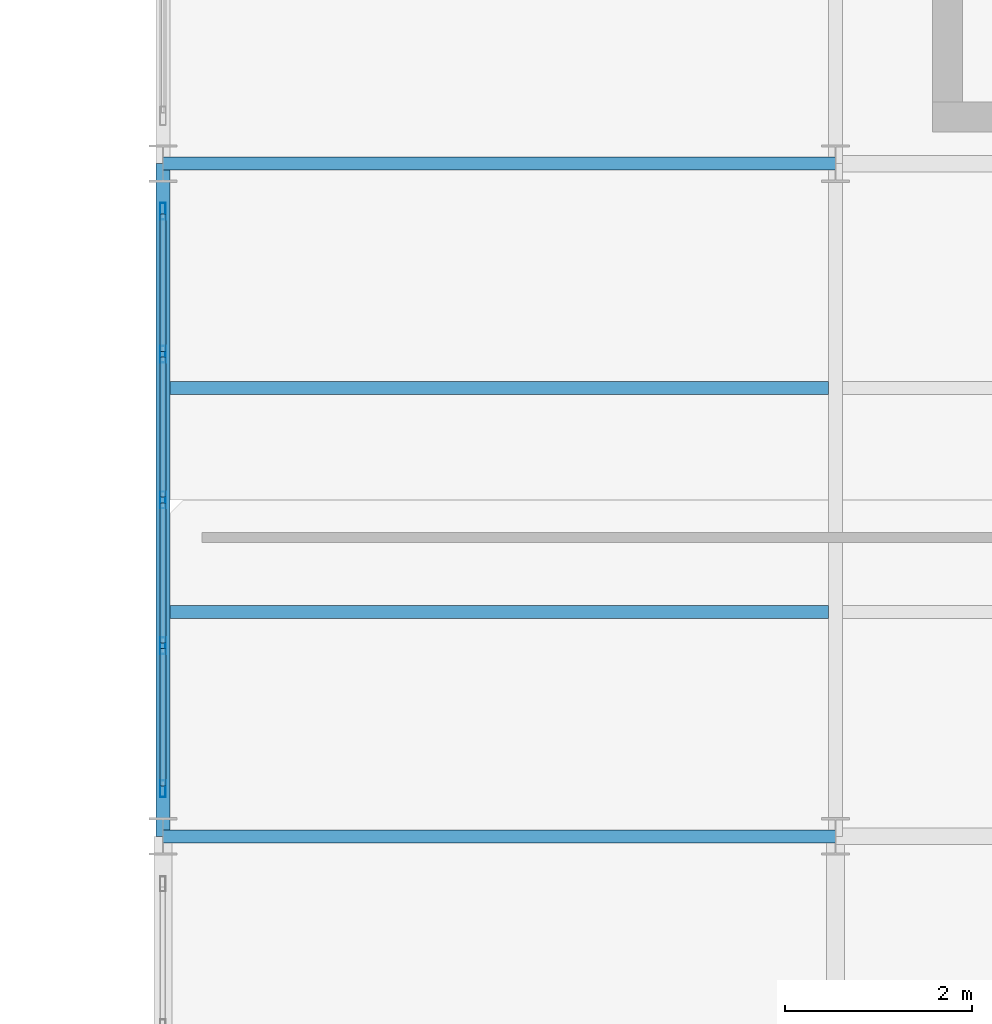
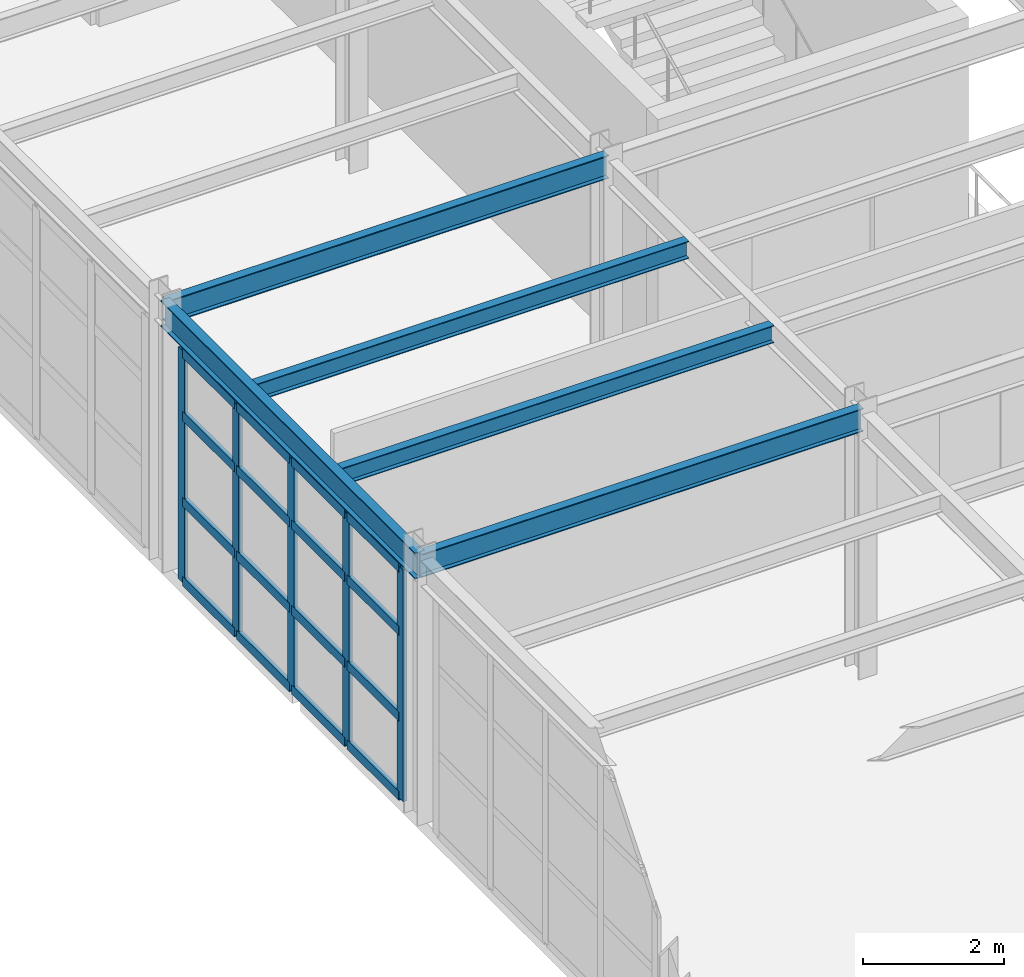
# One storey, part 38 of 126: 21 members, 5 beams, 1 element without a shape of its own.
"""IFC4 building model written with IfcOpenShell, lengths in metres."""

import ifcopenshell
import ifcopenshell.guid

model = None  # the IFC model being written
_history = None  # IfcOwnerHistory: only IFC2X3 demands one
_inside = {}  # id of a spatial element -> (the spatial element, [elements in it])
_under = {}  # id of a project, library or spatial element -> (it, [spatial elements below it])
_declared = {}  # id of a project -> (the project, [libraries it declares])
_typed = {}  # id of a type object -> (the type object, [elements of that type])
_made_of = {}  # id of a material, layer set ... -> (it, [elements and type objects made of it])


def new_model(schema):
    """Start an empty IFC model of exactly this schema.

    Asked for "IFC4X3", IfcOpenShell would pick the latest addendum, in which some entities
    have other attributes; the version numbers below select the first issue.
    IFC2X3 requires an IfcOwnerHistory on every rooted entity: one is made here for all.
    """
    global model, _history
    if schema == "IFC4X3":
        model = ifcopenshell.file(schema_version=(4, 3, 0, 0))
    else:
        model = ifcopenshell.file(schema=schema)
    _inside.clear()
    _under.clear()
    _declared.clear()
    _typed.clear()
    _made_of.clear()
    _history = None
    if model.schema == "IFC2X3":
        org = make("IfcOrganization", Name="unknown")
        user = make(
            "IfcPersonAndOrganization",
            ThePerson=make("IfcPerson", FamilyName="unknown"),
            TheOrganization=org,
        )
        app = make(
            "IfcApplication",
            ApplicationDeveloper=org,
            Version="unknown",
            ApplicationFullName="unknown",
            ApplicationIdentifier="unknown",
        )
        _history = make(
            "IfcOwnerHistory",
            OwningUser=user,
            OwningApplication=app,
            ChangeAction="ADDED",
            CreationDate=0,
        )
    return model


def make(cls, **values):
    """One entity of the class cls with the attributes given. An attribute that is None is left unset."""
    return model.create_entity(
        cls, **{name: value for name, value in values.items() if value is not None}
    )


def rooted(cls, **values):
    """An entity with a GlobalId (a new one), such as an element, a storey or a relation."""
    return make(cls, GlobalId=ifcopenshell.guid.new(), OwnerHistory=_history, **values)


def si_unit(unit_type, name, prefix=None):
    """IfcSIUnit, for example si_unit("LENGTHUNIT", "METRE", prefix="MILLI")."""
    return make("IfcSIUnit", UnitType=unit_type, Prefix=prefix, Name=name)


def assignment(units):
    """IfcUnitAssignment: the units of a project."""
    return None if units is None else make("IfcUnitAssignment", Units=units)


def point(xyz):
    """IfcCartesianPoint."""
    return None if xyz is None else make("IfcCartesianPoint", Coordinates=xyz)


def direction(xyz):
    """IfcDirection."""
    return None if xyz is None else make("IfcDirection", DirectionRatios=xyz)


def frame(location, z_axis=None, x_axis=None):
    """IfcAxis2Placement3D, a coordinate frame: its origin and axes. An axis left out is left unset."""
    return make(
        "IfcAxis2Placement3D",
        Location=point(location),
        Axis=direction(z_axis),
        RefDirection=direction(x_axis),
    )


def frame_2d(location, x_axis=None):
    """IfcAxis2Placement2D, a coordinate frame in the plane: its origin and x axis."""
    return make(
        "IfcAxis2Placement2D", Location=point(location), RefDirection=direction(x_axis)
    )


def origin():
    """The frame at (0, 0, 0) with its axes left unset."""
    return frame((0.0, 0.0, 0.0))


def origin_2d():
    """The frame at (0, 0) in the plane with its x axis left unset."""
    return frame_2d((0.0, 0.0))


def place(relative_to, where):
    """IfcLocalPlacement: puts the frame where relative to a parent placement (None: the world)."""
    return make(
        "IfcLocalPlacement", PlacementRelTo=relative_to, RelativePlacement=where
    )


def context(
    kind, dimensions, precision=None, world=None, true_north=None, identifier=None
):
    """IfcGeometricRepresentationContext, for example the 3D "Model" context."""
    return make(
        "IfcGeometricRepresentationContext",
        ContextIdentifier=identifier,
        ContextType=kind,
        CoordinateSpaceDimension=dimensions,
        Precision=precision,
        WorldCoordinateSystem=world,
        TrueNorth=true_north,
    )


def subcontext(parent, identifier, kind, view, scale=None):
    """IfcGeometricRepresentationSubContext, for example "Body" below "Model"."""
    return make(
        "IfcGeometricRepresentationSubContext",
        ContextIdentifier=identifier,
        ContextType=kind,
        ParentContext=parent,
        TargetScale=scale,
        TargetView=view,
    )


def project(units=None, contexts=None):
    """IfcProject with its units and contexts."""
    return rooted(
        "IfcProject",
        Name="project",
        RepresentationContexts=contexts,
        UnitsInContext=assignment(units),
    )


def spatial(cls, under=None, at=None, **own):
    """A site, building, storey or space (cls), placed at a placement, below another one or the project."""
    s = rooted(cls, ObjectPlacement=at, **own)
    if under is not None:
        _under.setdefault(under.id(), (under, []))[1].append(s)
    return s


def profile(cls, at=None, kind="AREA", **sizes):
    """A parametric profile (cls). Its sizes go by their IFC names, for example OverallWidth=200.0."""
    return make(cls, ProfileType=kind, Position=at, **sizes)


def hollow_rectangle(**sizes):
    """IfcRectangleHollowProfileDef."""
    return profile("IfcRectangleHollowProfileDef", **sizes)


def i_section(**sizes):
    """IfcIShapeProfileDef."""
    return profile("IfcIShapeProfileDef", **sizes)


def extrude(swept, where, along, depth):
    """IfcExtrudedAreaSolid: the profile swept, set in the frame where, extruded along a direction by depth."""
    return make(
        "IfcExtrudedAreaSolid",
        SweptArea=swept,
        Position=where,
        ExtrudedDirection=direction(along),
        Depth=depth,
    )


def shape(context_of_items, identifier, shape_type, items):
    """IfcShapeRepresentation: the items that make up one representation, for example the "Body"."""
    return make(
        "IfcShapeRepresentation",
        ContextOfItems=context_of_items,
        RepresentationIdentifier=identifier,
        RepresentationType=shape_type,
        Items=items,
    )


def material(Name=None, Category=None):
    """IfcMaterial."""
    return make("IfcMaterial", Name=Name, Category=Category)


def layer(
    of_material, thickness, ventilated=None, Name=None, Category=None, Priority=None
):
    """IfcMaterialLayer: one layer of a wall or slab, of a material (None: an air gap)."""
    return make(
        "IfcMaterialLayer",
        Material=of_material,
        LayerThickness=thickness,
        IsVentilated=ventilated,
        Name=Name,
        Category=Category,
        Priority=Priority,
    )


def layer_set(layers, Name=None):
    """IfcMaterialLayerSet."""
    return make("IfcMaterialLayerSet", MaterialLayers=layers, LayerSetName=Name)


def material_profile(
    of_material, cross_section, Name=None, Category=None, Priority=None
):
    """IfcMaterialProfile: a cross section and its material."""
    return make(
        "IfcMaterialProfile",
        Name=Name,
        Material=of_material,
        Profile=cross_section,
        Priority=Priority,
        Category=Category,
    )


def profile_set(profiles, Name=None, composite=None):
    """IfcMaterialProfileSet."""
    return make(
        "IfcMaterialProfileSet",
        Name=Name,
        MaterialProfiles=profiles,
        CompositeProfile=composite,
    )


def made_of(thing, what):
    """Note that an element or type object is made of a material, layer set ...; save() writes the relation."""
    if what is not None:
        _made_of.setdefault(what.id(), (what, []))[1].append(thing)
    return thing


def type_object(cls, material=None, **own):
    """A type object (cls), such as IfcWallType, which elements share."""
    return made_of(rooted(cls, **own), material)


def element(
    cls,
    number,
    at=None,
    inside=None,
    cuts=None,
    type_object=None,
    material=None,
    context=None,
    identifier="Body",
    shape_type=None,
    held_by="IfcProductDefinitionShape",
    body=None,
    shapes=None,
    **own,
):
    """One element of the class cls, such as IfcWall. Its Tag is "e" and its number.

    at: its placement. inside: the storey or other place that contains it. cuts: it is an
    opening in that element (IfcRelVoidsElement). A single representation is given by context,
    identifier, shape_type and body (its items); several are given by shapes. held_by: the class
    of the entity that holds the representations. save() writes the other relations.
    """
    e = rooted(cls, Tag="e%d" % number, ObjectPlacement=at, **own)
    if body is not None:
        shapes = [shape(context, identifier, shape_type, body)]
    if shapes is not None:
        e.Representation = make(held_by, Representations=shapes)
    if inside is not None:
        _inside.setdefault(inside.id(), (inside, []))[1].append(e)
    if cuts is not None:
        rooted(
            "IfcRelVoidsElement", RelatingBuildingElement=cuts, RelatedOpeningElement=e
        )
    if type_object is not None:
        _typed.setdefault(type_object.id(), (type_object, []))[1].append(e)
    return made_of(e, material)


def aggregate(whole, parts):
    """IfcRelAggregates: a whole, such as a stair, and the parts it consists of."""
    return rooted("IfcRelAggregates", RelatingObject=whole, RelatedObjects=parts)


def save(model, path):
    """Write the relations noted so far, then the file.

    IfcRelAggregates (storeys below a building ...), IfcRelContainedInSpatialStructure (elements
    in a storey), IfcRelDefinesByType, IfcRelAssociatesMaterial and IfcRelDeclares: one each for
    every whole, place, type object, material and project.
    """
    for whole, parts in _under.values():
        aggregate(whole, parts)
    for where, things in _inside.values():
        rooted(
            "IfcRelContainedInSpatialStructure",
            RelatedElements=things,
            RelatingStructure=where,
        )
    for kind, things in _typed.values():
        rooted("IfcRelDefinesByType", RelatedObjects=things, RelatingType=kind)
    for what, things in _made_of.values():
        rooted("IfcRelAssociatesMaterial", RelatedObjects=things, RelatingMaterial=what)
    for by, libraries in _declared.values():
        rooted("IfcRelDeclares", RelatingContext=by, RelatedDefinitions=libraries)
    model.write(path)


model = new_model("IFC4")

# Units and contexts
model_context = context("Model", 3, precision=1e-05, world=origin(), true_north=direction((0.0, 1.0)))
body_context = subcontext(model_context, "Body", "Model", "MODEL_VIEW")
ifc_project = project(units=[si_unit("LENGTHUNIT", "METRE"), si_unit("AREAUNIT", "SQUARE_METRE"), si_unit("VOLUMEUNIT", "CUBIC_METRE"), si_unit("PLANEANGLEUNIT", "RADIAN"), si_unit("MASSUNIT", "GRAM", prefix="KILO")], contexts=[model_context])

# Site, building, storey
site_placement = place(None, origin())
site = spatial("IfcSite", under=ifc_project, at=site_placement, CompositionType="ELEMENT")
building_placement = place(site_placement, origin())
building = spatial("IfcBuilding", under=site, at=building_placement, Name="Solvadek Multi-Sports Hall", CompositionType="ELEMENT")
storey_placement = place(building_placement, frame((0.0, 0.0, 9.60009765625)))
storey = spatial("IfcBuildingStorey", under=building, at=storey_placement, Name="L02", CompositionType="ELEMENT", Elevation=9.60009765625)

# Curtain wall, members
ifc_material_1 = material(Name="Anodised aluminium", Category="aluminium")
ifc_layer = layer(ifc_material_1, 0.159912109375, Name="Anodised aluminium")
ifc_layer_set = layer_set([ifc_layer], Name="Anodised aluminium")
curtain_wall_type = type_object("IfcCurtainWallType", Name="ENV-CW-624X400", PredefinedType="USERDEFINED", material=ifc_layer_set)
curtain_wall_placement = place(storey_placement, origin())
curtain_wall = element("IfcCurtainWall", 1, at=curtain_wall_placement, inside=storey, type_object=curtain_wall_type, Name="L02 Perimeter Bay Curtain Wall #196", ObjectType="CURTAIN WALL", PredefinedType="USERDEFINED")
ifc_material_profile_1 = material_profile(ifc_material_1, hollow_rectangle(XDim=0.06005859375, YDim=0.179931640625, WallThickness=0.00390625, at=origin_2d()), Name="ALU-M 180x60x4")
ifc_profile_set_1 = profile_set([ifc_material_profile_1], Name="Anodised aluminium")
member_type_1 = type_object("IfcMemberType", Name="ENV-CWM-02", PredefinedType="MULLION", material=ifc_profile_set_1)
member_1_placement = place(storey_placement, frame((57.60009765625, 35.31005859375, 0.0), z_axis=(0.0, 0.0, 1.0), x_axis=(-1.0, 0.0, 0.0)))
member_1 = element("IfcMember", 2, at=member_1_placement, type_object=member_type_1, Name="CW-56 mullion 1", PredefinedType="MULLION", context=body_context, shape_type="SweptSolid", body=[
    extrude(hollow_rectangle(XDim=0.06005859375, YDim=0.179931640625, WallThickness=0.00390625, at=origin_2d()), origin(), (0.0, 0.0, 1.0), 4.0),
])
member_2_placement = place(storey_placement, frame((57.60009765625, 36.840087890625, 0.0), z_axis=(0.0, 0.0, 1.0), x_axis=(-1.0, 0.0, 0.0)))
member_2 = element("IfcMember", 3, at=member_2_placement, type_object=member_type_1, Name="CW-56 mullion 2", PredefinedType="MULLION", context=body_context, shape_type="SweptSolid", body=[
    extrude(hollow_rectangle(XDim=0.06005859375, YDim=0.179931640625, WallThickness=0.00390625, at=origin_2d()), origin(), (0.0, 0.0, 1.0), 4.0),
])
member_3_placement = place(storey_placement, frame((57.60009765625, 38.39990234375, 0.0), z_axis=(0.0, 0.0, 1.0), x_axis=(-1.0, 0.0, 0.0)))
member_3 = element("IfcMember", 4, at=member_3_placement, type_object=member_type_1, Name="CW-56 mullion 3", PredefinedType="MULLION", context=body_context, shape_type="SweptSolid", body=[
    extrude(hollow_rectangle(XDim=0.06005859375, YDim=0.179931640625, WallThickness=0.00390625, at=origin_2d()), origin(), (0.0, 0.0, 1.0), 4.0),
])
member_4_placement = place(storey_placement, frame((57.60009765625, 39.9599609375, 0.0), z_axis=(0.0, 0.0, 1.0), x_axis=(-1.0, 0.0, 0.0)))
member_4 = element("IfcMember", 5, at=member_4_placement, type_object=member_type_1, Name="CW-56 mullion 4", PredefinedType="MULLION", context=body_context, shape_type="SweptSolid", body=[
    extrude(hollow_rectangle(XDim=0.06005859375, YDim=0.179931640625, WallThickness=0.00390625, at=origin_2d()), origin(), (0.0, 0.0, 1.0), 4.0),
])
member_5_placement = place(storey_placement, frame((57.60009765625, 41.489990234375, 0.0), z_axis=(0.0, 0.0, 1.0), x_axis=(-1.0, 0.0, 0.0)))
member_5 = element("IfcMember", 6, at=member_5_placement, type_object=member_type_1, Name="CW-56 mullion 5", PredefinedType="MULLION", context=body_context, shape_type="SweptSolid", body=[
    extrude(hollow_rectangle(XDim=0.06005859375, YDim=0.179931640625, WallThickness=0.00390625, at=origin_2d()), origin(), (0.0, 0.0, 1.0), 4.0),
])
ifc_material_profile_2 = material_profile(ifc_material_1, hollow_rectangle(XDim=0.06494140625, YDim=0.159912109375, WallThickness=0.00390625, at=origin_2d()), Name="ALU-T 160x65x4")
ifc_profile_set_2 = profile_set([ifc_material_profile_2], Name="Anodised aluminium")
member_type_2 = type_object("IfcMemberType", Name="ENV-CWT-03", PredefinedType="USERDEFINED", material=ifc_profile_set_2)
member_6_placement = place(storey_placement, frame((57.60009765625, 35.340087890625, 0.032470703125), z_axis=(0.0, 1.0, 0.0), x_axis=(-1.0, 0.0, 0.0)))
member_6 = element("IfcMember", 7, at=member_6_placement, type_object=member_type_2, Name="CW-56 transom 1.1", ObjectType="TRANSOM", PredefinedType="USERDEFINED", context=body_context, shape_type="SweptSolid", body=[
    extrude(hollow_rectangle(XDim=0.06494140625, YDim=0.159912109375, WallThickness=0.00390625, at=origin_2d()), origin(), (0.0, 0.0, 1.0), 1.469970703125),
])
member_7_placement = place(storey_placement, frame((57.60009765625, 35.340087890625, 1.39990234375), z_axis=(0.0, 1.0, 0.0), x_axis=(-1.0, 0.0, 0.0)))
member_7 = element("IfcMember", 8, at=member_7_placement, type_object=member_type_2, Name="CW-56 transom 1.2", ObjectType="TRANSOM", PredefinedType="USERDEFINED", context=body_context, shape_type="SweptSolid", body=[
    extrude(hollow_rectangle(XDim=0.06494140625, YDim=0.159912109375, WallThickness=0.00390625, at=origin_2d()), origin(), (0.0, 0.0, 1.0), 1.469970703125),
])
member_8_placement = place(storey_placement, frame((57.60009765625, 35.340087890625, 2.8798828125), z_axis=(0.0, 1.0, 0.0), x_axis=(-1.0, 0.0, 0.0)))
member_8 = element("IfcMember", 9, at=member_8_placement, type_object=member_type_2, Name="CW-56 transom 1.3", ObjectType="TRANSOM", PredefinedType="USERDEFINED", context=body_context, shape_type="SweptSolid", body=[
    extrude(hollow_rectangle(XDim=0.06494140625, YDim=0.159912109375, WallThickness=0.00390625, at=origin_2d()), origin(), (0.0, 0.0, 1.0), 1.469970703125),
])
member_9_placement = place(storey_placement, frame((57.60009765625, 35.340087890625, 3.96728515625), z_axis=(0.0, 1.0, 0.0), x_axis=(-1.0, 0.0, 0.0)))
member_9 = element("IfcMember", 10, at=member_9_placement, type_object=member_type_2, Name="CW-56 transom 1.4", ObjectType="TRANSOM", PredefinedType="USERDEFINED", context=body_context, shape_type="SweptSolid", body=[
    extrude(hollow_rectangle(XDim=0.06494140625, YDim=0.159912109375, WallThickness=0.00390625, at=origin_2d()), origin(), (0.0, 0.0, 1.0), 1.469970703125),
])
member_10_placement = place(storey_placement, frame((57.60009765625, 36.8701171875, 0.032470703125), z_axis=(0.0, 1.0, 0.0), x_axis=(-1.0, 0.0, 0.0)))
member_10 = element("IfcMember", 11, at=member_10_placement, type_object=member_type_2, Name="CW-56 transom 2.1", ObjectType="TRANSOM", PredefinedType="USERDEFINED", context=body_context, shape_type="SweptSolid", body=[
    extrude(hollow_rectangle(XDim=0.06494140625, YDim=0.159912109375, WallThickness=0.00390625, at=origin_2d()), origin(), (0.0, 0.0, 1.0), 1.5),
])
member_11_placement = place(storey_placement, frame((57.60009765625, 36.8701171875, 1.39990234375), z_axis=(0.0, 1.0, 0.0), x_axis=(-1.0, 0.0, 0.0)))
member_11 = element("IfcMember", 12, at=member_11_placement, type_object=member_type_2, Name="CW-56 transom 2.2", ObjectType="TRANSOM", PredefinedType="USERDEFINED", context=body_context, shape_type="SweptSolid", body=[
    extrude(hollow_rectangle(XDim=0.06494140625, YDim=0.159912109375, WallThickness=0.00390625, at=origin_2d()), origin(), (0.0, 0.0, 1.0), 1.5),
])
member_12_placement = place(storey_placement, frame((57.60009765625, 36.8701171875, 2.8798828125), z_axis=(0.0, 1.0, 0.0), x_axis=(-1.0, 0.0, 0.0)))
member_12 = element("IfcMember", 13, at=member_12_placement, type_object=member_type_2, Name="CW-56 transom 2.3", ObjectType="TRANSOM", PredefinedType="USERDEFINED", context=body_context, shape_type="SweptSolid", body=[
    extrude(hollow_rectangle(XDim=0.06494140625, YDim=0.159912109375, WallThickness=0.00390625, at=origin_2d()), origin(), (0.0, 0.0, 1.0), 1.5),
])
member_13_placement = place(storey_placement, frame((57.60009765625, 36.8701171875, 3.96728515625), z_axis=(0.0, 1.0, 0.0), x_axis=(-1.0, 0.0, 0.0)))
member_13 = element("IfcMember", 14, at=member_13_placement, type_object=member_type_2, Name="CW-56 transom 2.4", ObjectType="TRANSOM", PredefinedType="USERDEFINED", context=body_context, shape_type="SweptSolid", body=[
    extrude(hollow_rectangle(XDim=0.06494140625, YDim=0.159912109375, WallThickness=0.00390625, at=origin_2d()), origin(), (0.0, 0.0, 1.0), 1.5),
])
member_14_placement = place(storey_placement, frame((57.60009765625, 38.429931640625, 0.032470703125), z_axis=(0.0, 1.0, 0.0), x_axis=(-1.0, 0.0, 0.0)))
member_14 = element("IfcMember", 15, at=member_14_placement, type_object=member_type_2, Name="CW-56 transom 3.1", ObjectType="TRANSOM", PredefinedType="USERDEFINED", context=body_context, shape_type="SweptSolid", body=[
    extrude(hollow_rectangle(XDim=0.06494140625, YDim=0.159912109375, WallThickness=0.00390625, at=origin_2d()), origin(), (0.0, 0.0, 1.0), 1.5),
])
member_15_placement = place(storey_placement, frame((57.60009765625, 38.429931640625, 1.39990234375), z_axis=(0.0, 1.0, 0.0), x_axis=(-1.0, 0.0, 0.0)))
member_15 = element("IfcMember", 16, at=member_15_placement, type_object=member_type_2, Name="CW-56 transom 3.2", ObjectType="TRANSOM", PredefinedType="USERDEFINED", context=body_context, shape_type="SweptSolid", body=[
    extrude(hollow_rectangle(XDim=0.06494140625, YDim=0.159912109375, WallThickness=0.00390625, at=origin_2d()), origin(), (0.0, 0.0, 1.0), 1.5),
])
member_16_placement = place(storey_placement, frame((57.60009765625, 38.429931640625, 2.8798828125), z_axis=(0.0, 1.0, 0.0), x_axis=(-1.0, 0.0, 0.0)))
member_16 = element("IfcMember", 17, at=member_16_placement, type_object=member_type_2, Name="CW-56 transom 3.3", ObjectType="TRANSOM", PredefinedType="USERDEFINED", context=body_context, shape_type="SweptSolid", body=[
    extrude(hollow_rectangle(XDim=0.06494140625, YDim=0.159912109375, WallThickness=0.00390625, at=origin_2d()), origin(), (0.0, 0.0, 1.0), 1.5),
])
member_17_placement = place(storey_placement, frame((57.60009765625, 38.429931640625, 3.96728515625), z_axis=(0.0, 1.0, 0.0), x_axis=(-1.0, 0.0, 0.0)))
member_17 = element("IfcMember", 18, at=member_17_placement, type_object=member_type_2, Name="CW-56 transom 3.4", ObjectType="TRANSOM", PredefinedType="USERDEFINED", context=body_context, shape_type="SweptSolid", body=[
    extrude(hollow_rectangle(XDim=0.06494140625, YDim=0.159912109375, WallThickness=0.00390625, at=origin_2d()), origin(), (0.0, 0.0, 1.0), 1.5),
])
member_18_placement = place(storey_placement, frame((57.60009765625, 39.989990234375, 0.032470703125), z_axis=(0.0, 1.0, 0.0), x_axis=(-1.0, 0.0, 0.0)))
member_18 = element("IfcMember", 19, at=member_18_placement, type_object=member_type_2, Name="CW-56 transom 4.1", ObjectType="TRANSOM", PredefinedType="USERDEFINED", context=body_context, shape_type="SweptSolid", body=[
    extrude(hollow_rectangle(XDim=0.06494140625, YDim=0.159912109375, WallThickness=0.00390625, at=origin_2d()), origin(), (0.0, 0.0, 1.0), 1.469970703125),
])
member_19_placement = place(storey_placement, frame((57.60009765625, 39.989990234375, 1.39990234375), z_axis=(0.0, 1.0, 0.0), x_axis=(-1.0, 0.0, 0.0)))
member_19 = element("IfcMember", 20, at=member_19_placement, type_object=member_type_2, Name="CW-56 transom 4.2", ObjectType="TRANSOM", PredefinedType="USERDEFINED", context=body_context, shape_type="SweptSolid", body=[
    extrude(hollow_rectangle(XDim=0.06494140625, YDim=0.159912109375, WallThickness=0.00390625, at=origin_2d()), origin(), (0.0, 0.0, 1.0), 1.469970703125),
])
member_20_placement = place(storey_placement, frame((57.60009765625, 39.989990234375, 2.8798828125), z_axis=(0.0, 1.0, 0.0), x_axis=(-1.0, 0.0, 0.0)))
member_20 = element("IfcMember", 21, at=member_20_placement, type_object=member_type_2, Name="CW-56 transom 4.3", ObjectType="TRANSOM", PredefinedType="USERDEFINED", context=body_context, shape_type="SweptSolid", body=[
    extrude(hollow_rectangle(XDim=0.06494140625, YDim=0.159912109375, WallThickness=0.00390625, at=origin_2d()), origin(), (0.0, 0.0, 1.0), 1.469970703125),
])
member_21_placement = place(storey_placement, frame((57.60009765625, 39.989990234375, 3.96728515625), z_axis=(0.0, 1.0, 0.0), x_axis=(-1.0, 0.0, 0.0)))
member_21 = element("IfcMember", 22, at=member_21_placement, type_object=member_type_2, Name="CW-56 transom 4.4", ObjectType="TRANSOM", PredefinedType="USERDEFINED", context=body_context, shape_type="SweptSolid", body=[
    extrude(hollow_rectangle(XDim=0.06494140625, YDim=0.159912109375, WallThickness=0.00390625, at=origin_2d()), origin(), (0.0, 0.0, 1.0), 1.469970703125),
])
aggregate(curtain_wall, [member_1, member_2, member_3, member_4, member_5, member_6, member_7, member_8, member_9, member_10, member_11, member_12, member_13, member_14, member_15, member_16, member_17, member_18, member_19, member_20, member_21])

# Beams
ifc_material_2 = material(Name="Steel E350 (350 MPa)", Category="steel")
ifc_material_profile_3 = material_profile(ifc_material_2, i_section(OverallWidth=0.139892578125, OverallDepth=0.39990234375, WebThickness=0.0087890625, FlangeThickness=0.01611328125, at=origin_2d()), Name="ISMB 400")
ifc_profile_set_3 = profile_set([ifc_material_profile_3], Name="Steel E350 (350 MPa)")
beam_type_1 = type_object("IfcBeamType", Name="STR-BM-ISMB400", PredefinedType="BEAM", material=ifc_profile_set_3)
for number, where, z_axis, x_axis, name in (
    (23, (57.60009765625, 34.800048828125, 4.35986328125), (1.0, 0.0, 0.0), (0.0, 1.0, 0.0), "L02 Girder B-10 #1345"),
    (24, (57.60009765625, 42.0, 4.35986328125), (1.0, 0.0, 0.0), (0.0, 1.0, 0.0), "L02 Girder B-10 #1351"),
):
    element("IfcBeam", number, at=place(storey_placement, frame(where, z_axis=z_axis, x_axis=x_axis)), inside=storey, type_object=beam_type_1, Name=name, PredefinedType="BEAM", context=body_context, shape_type="SweptSolid", body=[
        extrude(i_section(OverallWidth=0.139892578125, OverallDepth=0.39990234375, WebThickness=0.0087890625, FlangeThickness=0.01611328125, at=origin_2d()), origin(), (0.0, 0.0, 1.0), 7.199951171875),
    ])
ifc_material_profile_4 = material_profile(ifc_material_2, i_section(OverallWidth=0.14990234375, OverallDepth=0.449951171875, WebThickness=0.009521484375, FlangeThickness=0.017333984375, at=origin_2d()), Name="ISMB 450")
ifc_profile_set_4 = profile_set([ifc_material_profile_4], Name="Steel E350 (350 MPa)")
beam_type_2 = type_object("IfcBeamType", Name="STR-BM-ISMB450", PredefinedType="BEAM", material=ifc_profile_set_4)
beam_placement = place(storey_placement, frame((57.60009765625, 34.800048828125, 4.3349609375), z_axis=(0.0, 1.0, 0.0), x_axis=(-1.0, 0.0, 0.0)))
element("IfcBeam", 25, at=beam_placement, inside=storey, type_object=beam_type_2, Name="L02 Girder B-09 #1526", PredefinedType="BEAM", context=body_context, shape_type="SweptSolid", body=[
    extrude(i_section(OverallWidth=0.14990234375, OverallDepth=0.449951171875, WebThickness=0.009521484375, FlangeThickness=0.017333984375, at=origin_2d()), origin(), (0.0, 0.0, 1.0), 7.199951171875),
])
ifc_material_profile_5 = material_profile(ifc_material_2, i_section(OverallWidth=0.139892578125, OverallDepth=0.300048828125, WebThickness=0.0078125, FlangeThickness=0.01318359375, at=origin_2d()), Name="ISMB 300")
ifc_profile_set_5 = profile_set([ifc_material_profile_5], Name="Steel E350 (350 MPa)")
beam_type_3 = type_object("IfcBeamType", Name="STR-JST-ISMB300", PredefinedType="JOIST", material=ifc_profile_set_5)
for number, where, z_axis, x_axis, name in (
    (26, (57.675048828125, 37.199951171875, 4.409912109375), (1.0, 0.0, 0.0), (0.0, 1.0, 0.0), "L02 Composite Joist J-03 #799"),
    (27, (57.675048828125, 39.60009765625, 4.409912109375), (1.0, 0.0, 0.0), (0.0, 1.0, 0.0), "L02 Composite Joist J-03 #800"),
):
    element("IfcBeam", number, at=place(storey_placement, frame(where, z_axis=z_axis, x_axis=x_axis)), inside=storey, type_object=beam_type_3, Name=name, PredefinedType="JOIST", context=body_context, shape_type="SweptSolid", body=[
        extrude(i_section(OverallWidth=0.139892578125, OverallDepth=0.300048828125, WebThickness=0.0078125, FlangeThickness=0.01318359375, at=origin_2d()), origin(), (0.0, 0.0, 1.0), 7.050048828125),
    ])

save(model, "model.ifc")
